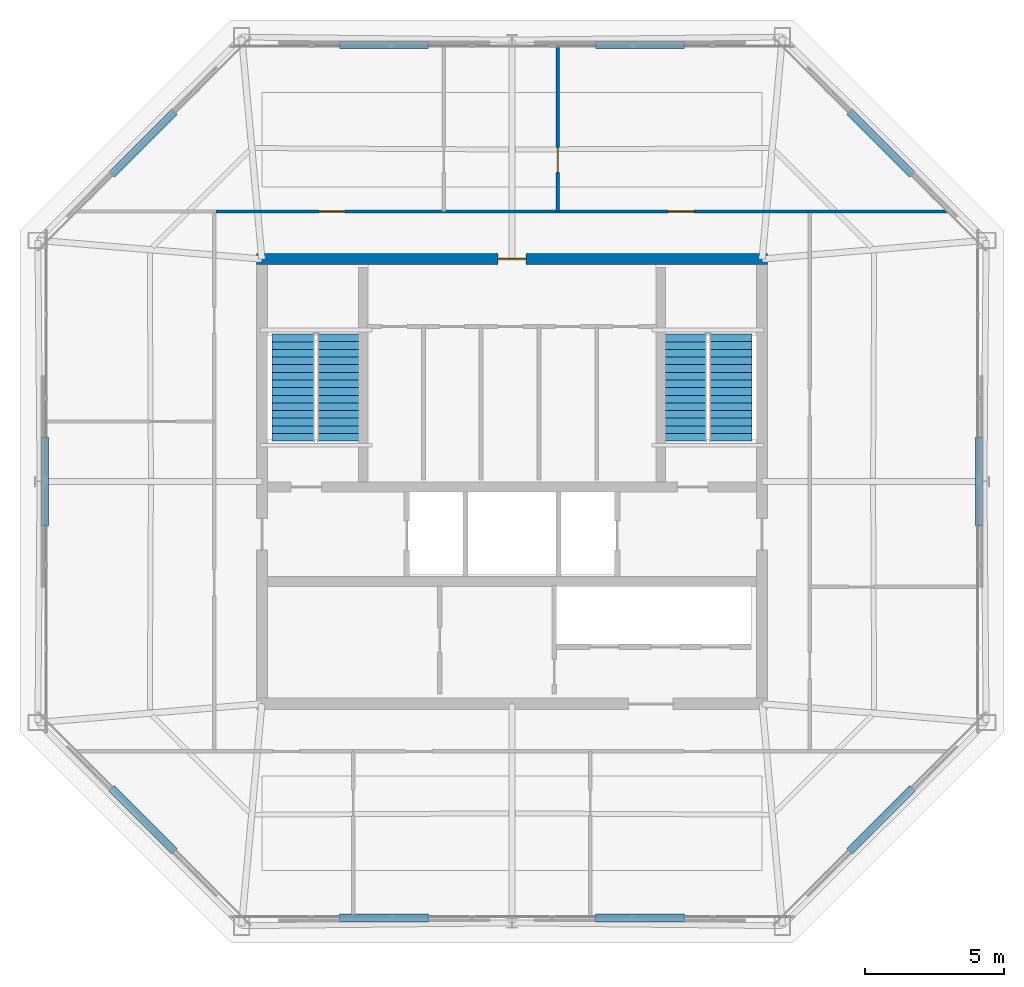
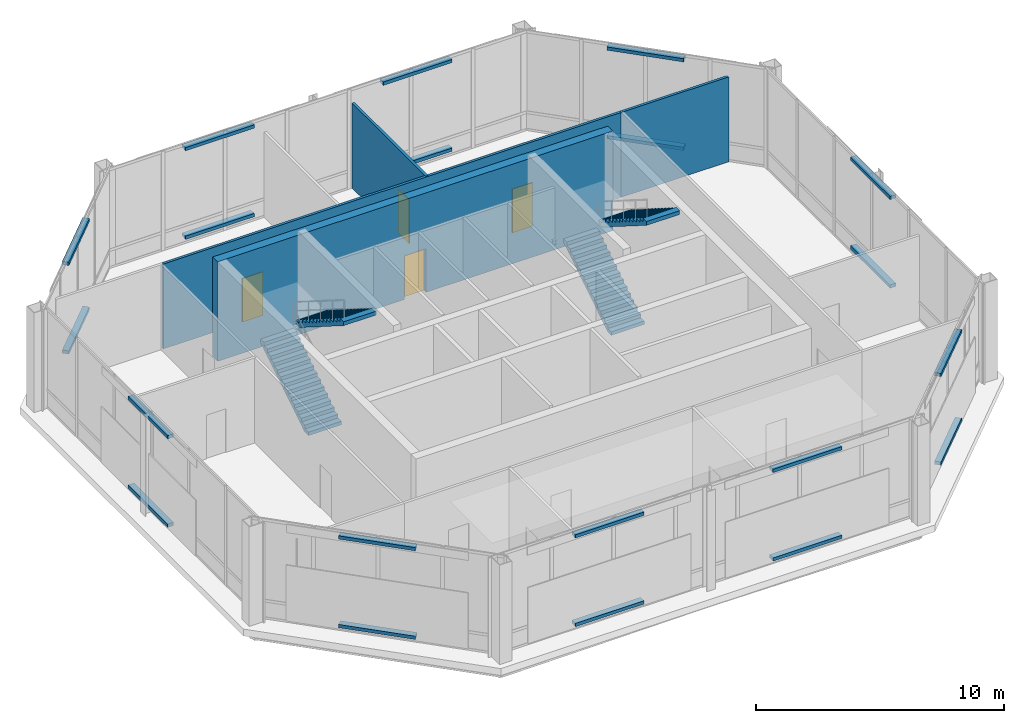
# One storey, part 20 of 21: 20 discrete accessories, 4 doors, 4 stair flights, 4 walls, 4 openings, 2 elements without a shape of their own.
"""IFC4 building model written with IfcOpenShell, lengths in metres."""

from ifc_helpers import new_model, si_unit, direction, frame, frame_2d, origin, origin_2d, place, context, subcontext, project, spatial, polyline, rectangle, outline, extrude, material, layer, layer_set, type_object, element, fill, aggregate, save


model = new_model("IFC4")

# Units and contexts
model_context = context("Model", 3, precision=1e-05, world=origin(), true_north=direction((0.0, 1.0)))
body_context = subcontext(model_context, "Body", "Model", "MODEL_VIEW")
ifc_project = project(units=[si_unit("LENGTHUNIT", "METRE"), si_unit("AREAUNIT", "SQUARE_METRE"), si_unit("VOLUMEUNIT", "CUBIC_METRE"), si_unit("PLANEANGLEUNIT", "RADIAN"), si_unit("MASSUNIT", "GRAM", prefix="KILO")], contexts=[model_context])

# Site, building, storey
site_placement = place(None, origin())
site = spatial("IfcSite", under=ifc_project, at=site_placement, CompositionType="ELEMENT")
building_placement = place(site_placement, origin())
building = spatial("IfcBuilding", under=site, at=building_placement, Name="Caelvoria Tower", CompositionType="ELEMENT")
storey_placement = place(building_placement, frame((0.0, 0.0, 279.0)))
storey = spatial("IfcBuildingStorey", under=building, at=storey_placement, Name="L74", CompositionType="ELEMENT", Elevation=279.0)

# Wall, opening, door
ifc_material_1 = material(Name="Concrete C50/60", Category="concrete")
ifc_layer_1 = layer(ifc_material_1, 0.39990234375, Name="Concrete C50/60")
ifc_layer_set_1 = layer_set([ifc_layer_1], Name="Summit Core Shear Wall 400 - Concrete C50/60")
wall_type_1 = type_object("IfcWallType", Name="Summit Core Shear Wall 400", PredefinedType="SHEAR", material=ifc_layer_set_1)
wall_1_placement = place(storey_placement, frame((36.800048828125, 40.0, 0.0), z_axis=(0.0, 0.0, 1.0), x_axis=(1.0, 0.0, 0.0)))
wall_1 = element("IfcWall", 1, at=wall_1_placement, inside=storey, type_object=wall_type_1, Name="Core Shear Wall L74 N", PredefinedType="SHEAR", context=body_context, shape_type="SweptSolid", body=[
    extrude(rectangle(XDim=18.39990234375, YDim=0.39990234375, at=frame_2d((9.199951171875, 0.0))), origin(), (0.0, 0.0, 1.0), 4.89990234375),
])
opening_1_placement = place(wall_1_placement, frame((8.699951171875, 0.0, 0.0)))
opening_1 = element("IfcOpeningElement", 2, at=opening_1_placement, cuts=wall_1, Name="Opening ID-03", PredefinedType="OPENING", context=body_context, shape_type="SweptSolid", body=[
    extrude(rectangle(XDim=1.0, YDim=2.14990234375, at=frame_2d((0.5, 1.074951171875))), frame((0.0, 0.2099609375, 0.0), z_axis=(0.0, -1.0, 0.0), x_axis=(1.0, 0.0, 0.0)), (0.0, 0.0, 1.0), 0.419921875),
])
ifc_material_2 = material(Name="Painted Hollow Steel Fire Door", Category="steel")
door_type_1 = type_object("IfcDoorType", Name="Fire Door FD60S 1000x2150", OperationType="NOTDEFINED", PredefinedType="DOOR", material=ifc_material_2)
door_1_placement = place(opening_1_placement, origin())
door_1 = element("IfcDoor", 3, at=door_1_placement, inside=storey, type_object=door_type_1, Name="Core Door DR-L74-WC-MAIN", OperationType="SINGLE_SWING_RIGHT", OverallHeight=2.14990234375, OverallWidth=1.0, PredefinedType="DOOR", context=body_context, shape_type="SweptSolid", body=[
    extrude(rectangle(XDim=1.0, YDim=2.14990234375, at=frame_2d((0.5, 1.074951171875))), frame((0.0, 0.02490234375, 0.0), z_axis=(0.0, -1.0, 0.0), x_axis=(1.0, 0.0, 0.0)), (0.0, 0.0, 1.0), 0.050048828125),
])
fill(opening_1, door_1)

ifc_material_3 = material(Name="Acoustic Gypsum Board on Light-Gauge Stud", Category="gypsum")
ifc_layer_2 = layer(ifc_material_3, 0.1201171875, Name="Acoustic Gypsum Board on Light-Gauge Stud")
ifc_layer_set_2 = layer_set([ifc_layer_2], Name="Tenant Suite Acoustic Partition Wall 120 - Acoustic Gypsum Board on Light-Gauge Stud")
wall_type_2 = type_object("IfcWallType", Name="Tenant Suite Acoustic Partition Wall 120", PredefinedType="PARTITIONING", material=ifc_layer_set_2)
wall_2_placement = place(storey_placement, frame((47.646484375, 41.7099609375, 0.0), z_axis=(0.0, 0.0, 1.0), x_axis=(0.0, 1.0, 0.0)))
wall_2 = element("IfcWall", 4, at=wall_2_placement, inside=storey, type_object=wall_type_2, Name="Interior Partition IW-L74-ND-01-0", PredefinedType="PARTITIONING", context=body_context, shape_type="SweptSolid", body=[
    extrude(rectangle(XDim=5.949951171875, YDim=0.1201171875, at=frame_2d((2.97509765625, 0.0))), origin(), (0.0, 0.0, 1.0), 4.179931640625),
])
opening_2_placement = place(wall_2_placement, frame((1.39990234375, 0.0, 0.0)))
opening_2 = element("IfcOpeningElement", 5, at=opening_2_placement, cuts=wall_2, Name="Opening ID-06", PredefinedType="OPENING", context=body_context, shape_type="SweptSolid", body=[
    extrude(rectangle(XDim=0.89990234375, YDim=2.14990234375, at=frame_2d((0.449951171875, 1.074951171875))), frame((0.0, 0.070068359375, 0.0), z_axis=(0.0, -1.0, 0.0), x_axis=(1.0, 0.0, 0.0)), (0.0, 0.0, 1.0), 0.14013671875),
])
ifc_material_4 = material(Name="Engineered Andean Oak Veneer Door", Category="wood")
door_type_2 = type_object("IfcDoorType", Name="Interior Timber Door 900x2150", OperationType="NOTDEFINED", PredefinedType="DOOR", material=ifc_material_4)
door_2_placement = place(opening_2_placement, origin())
door_2 = element("IfcDoor", 6, at=door_2_placement, inside=storey, type_object=door_type_2, Name="Interior Door DR-L74-NM-01-0", OperationType="SINGLE_SWING_LEFT", OverallHeight=2.14990234375, OverallWidth=0.89990234375, PredefinedType="DOOR", context=body_context, shape_type="SweptSolid", body=[
    extrude(rectangle(XDim=0.89990234375, YDim=2.14990234375, at=frame_2d((0.449951171875, 1.074951171875))), frame((0.0, 0.02490234375, 0.0), z_axis=(0.0, -1.0, 0.0), x_axis=(1.0, 0.0, 0.0)), (0.0, 0.0, 1.0), 0.050048828125),
])
fill(opening_2, door_2)

# Wall, openings, doors
wall_3_placement = place(storey_placement, frame((35.35009765625, 41.7099609375, 0.0), z_axis=(0.0, 0.0, 1.0), x_axis=(1.0, 0.0, 0.0)))
wall_3 = element("IfcWall", 7, at=wall_3_placement, inside=storey, type_object=wall_type_2, Name="Interior Partition IW-L74-NCW-0", PredefinedType="PARTITIONING", context=body_context, shape_type="SweptSolid", body=[
    extrude(rectangle(XDim=21.2998046875, YDim=0.1201171875, at=frame_2d((10.64990234375, 0.0))), origin(), (0.0, 0.0, 1.0), 4.179931640625),
])
opening_3_placement = place(wall_3_placement, frame((3.69287109375, 0.0, 0.0)))
opening_3 = element("IfcOpeningElement", 8, at=opening_3_placement, cuts=wall_3, Name="Opening ID-05", PredefinedType="OPENING", context=body_context, shape_type="SweptSolid", body=[
    extrude(rectangle(XDim=0.949951171875, YDim=2.14990234375, at=frame_2d((0.47509765625, 1.074951171875))), frame((0.0, 0.070068359375, 0.0), z_axis=(0.0, -1.0, 0.0), x_axis=(1.0, 0.0, 0.0)), (0.0, 0.0, 1.0), 0.14013671875),
])
opening_4_placement = place(wall_3_placement, frame((16.25341796875, 0.0, 0.0)))
opening_4 = element("IfcOpeningElement", 9, at=opening_4_placement, cuts=wall_3, Name="Opening ID-05", PredefinedType="OPENING", context=body_context, shape_type="SweptSolid", body=[
    extrude(rectangle(XDim=0.949951171875, YDim=2.14990234375, at=frame_2d((0.47509765625, 1.074951171875))), frame((0.0, 0.070068359375, 0.0), z_axis=(0.0, -1.0, 0.0), x_axis=(1.0, 0.0, 0.0)), (0.0, 0.0, 1.0), 0.14013671875),
])
door_type_3 = type_object("IfcDoorType", Name="Interior Timber Door 950x2150", OperationType="NOTDEFINED", PredefinedType="DOOR", material=ifc_material_4)
door_3_placement = place(opening_3_placement, origin())
door_3 = element("IfcDoor", 10, at=door_3_placement, inside=storey, type_object=door_type_3, Name="Interior Door DR-L74-NC-00-0", OperationType="SINGLE_SWING_LEFT", OverallHeight=2.14990234375, OverallWidth=0.949951171875, PredefinedType="DOOR", context=body_context, shape_type="SweptSolid", body=[
    extrude(rectangle(XDim=0.949951171875, YDim=2.14990234375, at=frame_2d((0.47509765625, 1.074951171875))), frame((0.0, 0.02490234375, 0.0), z_axis=(0.0, -1.0, 0.0), x_axis=(1.0, 0.0, 0.0)), (0.0, 0.0, 1.0), 0.050048828125),
])
fill(opening_3, door_3)
door_4_placement = place(opening_4_placement, origin())
door_4 = element("IfcDoor", 11, at=door_4_placement, inside=storey, type_object=door_type_3, Name="Interior Door DR-L74-NC-02-0", OperationType="SINGLE_SWING_LEFT", OverallHeight=2.14990234375, OverallWidth=0.949951171875, PredefinedType="DOOR", context=body_context, shape_type="SweptSolid", body=[
    extrude(rectangle(XDim=0.949951171875, YDim=2.14990234375, at=frame_2d((0.47509765625, 1.074951171875))), frame((0.0, 0.02490234375, 0.0), z_axis=(0.0, -1.0, 0.0), x_axis=(1.0, 0.0, 0.0)), (0.0, 0.0, 1.0), 0.050048828125),
])
fill(opening_4, door_4)

# Wall
wall_4_placement = place(storey_placement, frame((56.64990234375, 41.7099609375, 0.0), z_axis=(0.0, 0.0, 1.0), x_axis=(1.0, 0.0, 0.0)))
element("IfcWall", 12, at=wall_4_placement, inside=storey, type_object=wall_type_2, Name="Interior Partition IW-L74-BNE-0", PredefinedType="PARTITIONING", context=body_context, shape_type="SweptSolid", body=[
    extrude(rectangle(XDim=5.0107421875, YDim=0.1201171875, at=frame_2d((2.50537109375, 0.0))), origin(), (0.0, 0.0, 1.0), 4.179931640625),
])

# Stair, stair flights
ifc_material_5 = material(Name="Concrete C40/50", Category="concrete")
stair_type = type_object("IfcStairType", Name="Core Smokeproof Dogleg Stair Concrete C40/50", PredefinedType="HALF_TURN_STAIR", material=ifc_material_5)
stair_1_placement = place(storey_placement, origin())
stair_1 = element("IfcStair", 13, at=stair_1_placement, inside=storey, type_object=stair_type, Name="ST-01 Smokeproof Exit Stair L74", PredefinedType="HALF_TURN_STAIR")
ifc_material_6 = material(Name="Precast Concrete C40/50", Category="concrete")
stair_flight_type = type_object("IfcStairFlightType", Name="Precast Concrete C40/50 Stair Flight 1480", PredefinedType="STRAIGHT", material=ifc_material_6)
stair_flight_1_placement = place(storey_placement, frame((38.1298828125, 33.449951171875, 0.0), z_axis=(0.0, 0.0, 1.0), x_axis=(0.0, 1.0, 0.0)))
stair_flight_1 = element("IfcStairFlight", 14, at=stair_flight_1_placement, type_object=stair_flight_type, Name="ST-01 flight 1", NumberOfRisers=15, NumberOfTreads=14, PredefinedType="STRAIGHT", RiserHeight=0.1733, TreadLength=0.275, context=body_context, shape_type="SweptSolid", body=[
    extrude(outline(polyline([(0.0, 0.0), (0.0, 0.17333984375), (0.27490234375, 0.17333984375), (0.27490234375, 0.3466796875), (0.550048828125, 0.3466796875), (0.550048828125, 0.52001953125), (0.824951171875, 0.52001953125), (0.824951171875, 0.693115234375), (1.10009765625, 0.693115234375), (1.10009765625, 0.866455078125), (1.375, 0.866455078125), (1.375, 1.039794921875), (1.64990234375, 1.039794921875), (1.64990234375, 1.213134765625), (1.925048828125, 1.213134765625), (1.925048828125, 1.386474609375), (2.199951171875, 1.386474609375), (2.199951171875, 1.559814453125), (2.47509765625, 1.559814453125), (2.47509765625, 1.73291015625), (2.75, 1.73291015625), (2.75, 1.90625), (3.02490234375, 1.90625), (3.02490234375, 2.07958984375), (3.300048828125, 2.07958984375), (3.300048828125, 2.2529296875), (3.574951171875, 2.2529296875), (3.574951171875, 2.42626953125), (3.85009765625, 2.42626953125), (3.85009765625, 2.599609375), (3.85009765625, 2.2373046875), (0.300048828125, 0.0), (0.0, 0.0)])), frame((0.0, 0.77001953125, 0.0), z_axis=(0.0, -1.0, 0.0), x_axis=(1.0, 0.0, 0.0)), (0.0, 0.0, 1.0), 1.5400390625),
])
stair_flight_2_placement = place(storey_placement, frame((39.77001953125, 37.300048828125, 2.60009765625), z_axis=(0.0, 0.0, 1.0), x_axis=(0.0, -1.0, 0.0)))
stair_flight_2 = element("IfcStairFlight", 15, at=stair_flight_2_placement, type_object=stair_flight_type, Name="ST-01 flight 2", NumberOfRisers=15, NumberOfTreads=14, PredefinedType="STRAIGHT", RiserHeight=0.1733, TreadLength=0.275, context=body_context, shape_type="SweptSolid", body=[
    extrude(outline(polyline([(0.0, 0.0), (0.0, 0.17333984375), (0.27490234375, 0.17333984375), (0.27490234375, 0.3466796875), (0.550048828125, 0.3466796875), (0.550048828125, 0.52001953125), (0.824951171875, 0.52001953125), (0.824951171875, 0.693115234375), (1.10009765625, 0.693115234375), (1.10009765625, 0.866455078125), (1.375, 0.866455078125), (1.375, 1.039794921875), (1.64990234375, 1.039794921875), (1.64990234375, 1.213134765625), (1.925048828125, 1.213134765625), (1.925048828125, 1.386474609375), (2.199951171875, 1.386474609375), (2.199951171875, 1.559814453125), (2.47509765625, 1.559814453125), (2.47509765625, 1.73291015625), (2.75, 1.73291015625), (2.75, 1.90625), (3.02490234375, 1.90625), (3.02490234375, 2.07958984375), (3.300048828125, 2.07958984375), (3.300048828125, 2.2529296875), (3.574951171875, 2.2529296875), (3.574951171875, 2.42626953125), (3.85009765625, 2.42626953125), (3.85009765625, 2.599609375), (3.85009765625, 2.2373046875), (0.300048828125, 0.0), (0.0, 0.0)])), frame((0.0, 0.77001953125, 0.0), z_axis=(0.0, -1.0, 0.0), x_axis=(1.0, 0.0, 0.0)), (0.0, 0.0, 1.0), 1.5400390625),
])
aggregate(stair_1, [stair_flight_1, stair_flight_2])

stair_2_placement = place(storey_placement, origin())
stair_2 = element("IfcStair", 16, at=stair_2_placement, inside=storey, type_object=stair_type, Name="ST-02 Smokeproof Exit Stair L74", PredefinedType="HALF_TURN_STAIR")
stair_flight_3_placement = place(storey_placement, frame((52.22998046875, 33.449951171875, 0.0), z_axis=(0.0, 0.0, 1.0), x_axis=(0.0, 1.0, 0.0)))
stair_flight_3 = element("IfcStairFlight", 17, at=stair_flight_3_placement, type_object=stair_flight_type, Name="ST-02 flight 1", NumberOfRisers=15, NumberOfTreads=14, PredefinedType="STRAIGHT", RiserHeight=0.1733, TreadLength=0.275, context=body_context, shape_type="SweptSolid", body=[
    extrude(outline(polyline([(0.0, 0.0), (0.0, 0.17333984375), (0.27490234375, 0.17333984375), (0.27490234375, 0.3466796875), (0.550048828125, 0.3466796875), (0.550048828125, 0.52001953125), (0.824951171875, 0.52001953125), (0.824951171875, 0.693115234375), (1.10009765625, 0.693115234375), (1.10009765625, 0.866455078125), (1.375, 0.866455078125), (1.375, 1.039794921875), (1.64990234375, 1.039794921875), (1.64990234375, 1.213134765625), (1.925048828125, 1.213134765625), (1.925048828125, 1.386474609375), (2.199951171875, 1.386474609375), (2.199951171875, 1.559814453125), (2.47509765625, 1.559814453125), (2.47509765625, 1.73291015625), (2.75, 1.73291015625), (2.75, 1.90625), (3.02490234375, 1.90625), (3.02490234375, 2.07958984375), (3.300048828125, 2.07958984375), (3.300048828125, 2.2529296875), (3.574951171875, 2.2529296875), (3.574951171875, 2.42626953125), (3.85009765625, 2.42626953125), (3.85009765625, 2.599609375), (3.85009765625, 2.2373046875), (0.300048828125, 0.0), (0.0, 0.0)])), frame((0.0, 0.77001953125, 0.0), z_axis=(0.0, -1.0, 0.0), x_axis=(1.0, 0.0, 0.0)), (0.0, 0.0, 1.0), 1.5400390625),
])
stair_flight_4_placement = place(storey_placement, frame((53.8701171875, 37.300048828125, 2.60009765625), z_axis=(0.0, 0.0, 1.0), x_axis=(0.0, -1.0, 0.0)))
stair_flight_4 = element("IfcStairFlight", 18, at=stair_flight_4_placement, type_object=stair_flight_type, Name="ST-02 flight 2", NumberOfRisers=15, NumberOfTreads=14, PredefinedType="STRAIGHT", RiserHeight=0.1733, TreadLength=0.275, context=body_context, shape_type="SweptSolid", body=[
    extrude(outline(polyline([(0.0, 0.0), (0.0, 0.17333984375), (0.27490234375, 0.17333984375), (0.27490234375, 0.3466796875), (0.550048828125, 0.3466796875), (0.550048828125, 0.52001953125), (0.824951171875, 0.52001953125), (0.824951171875, 0.693115234375), (1.10009765625, 0.693115234375), (1.10009765625, 0.866455078125), (1.375, 0.866455078125), (1.375, 1.039794921875), (1.64990234375, 1.039794921875), (1.64990234375, 1.213134765625), (1.925048828125, 1.213134765625), (1.925048828125, 1.386474609375), (2.199951171875, 1.386474609375), (2.199951171875, 1.559814453125), (2.47509765625, 1.559814453125), (2.47509765625, 1.73291015625), (2.75, 1.73291015625), (2.75, 1.90625), (3.02490234375, 1.90625), (3.02490234375, 2.07958984375), (3.300048828125, 2.07958984375), (3.300048828125, 2.2529296875), (3.574951171875, 2.2529296875), (3.574951171875, 2.42626953125), (3.85009765625, 2.42626953125), (3.85009765625, 2.599609375), (3.85009765625, 2.2373046875), (0.300048828125, 0.0), (0.0, 0.0)])), frame((0.0, 0.77001953125, 0.0), z_axis=(0.0, -1.0, 0.0), x_axis=(1.0, 0.0, 0.0)), (0.0, 0.0, 1.0), 1.5400390625),
])
aggregate(stair_2, [stair_flight_3, stair_flight_4])

# Discrete accessories
ifc_material_7 = material(Name="Anodised Bronze Stainless Bracket", Category="bronze")
discrete_accessory_type = type_object("IfcDiscreteAccessoryType", Name="Solar Screen Outrigger Support Bracket", PredefinedType="BRACKET", material=ifc_material_7)
for number, where, z_axis, x_axis, name in (
    (19, (41.39990234375, 16.29052734375, 0.240234375), (0.0, 0.0, 1.0), (1.0, 0.0, 0.0), "Solar Screen Bracket L74-E0-00"),
    (20, (41.39990234375, 16.29052734375, 4.60009765625), (0.0, 0.0, 1.0), (1.0, 0.0, 0.0), "Upper Screen Band Bracket L74-E0-00"),
    (21, (50.60009765625, 16.29052734375, 0.240234375), (0.0, 0.0, 1.0), (1.0, 0.0, 0.0), "Solar Screen Bracket L74-E0-01"),
    (22, (50.60009765625, 16.29052734375, 4.60009765625), (0.0, 0.0, 1.0), (1.0, 0.0, 0.0), "Upper Screen Band Bracket L74-E0-01"),
    (23, (59.270263671875, 19.82958984375, 0.240234375), (0.0, 0.0, 1.0), (0.707106781187, 0.707106781187, 0.0), "Solar Screen Bracket L74-E1-00"),
    (24, (59.270263671875, 19.82958984375, 4.60009765625), (0.0, 0.0, 1.0), (0.707106781187, 0.707106781187, 0.0), "Upper Screen Band Bracket L74-E1-00"),
    (25, (62.8095703125, 32.0, 0.240234375), (0.0, 0.0, 1.0), (0.0, 1.0, 0.0), "Solar Screen Bracket L74-E2-00"),
    (26, (62.8095703125, 32.0, 4.60009765625), (0.0, 0.0, 1.0), (0.0, 1.0, 0.0), "Upper Screen Band Bracket L74-E2-00"),
    (27, (59.270263671875, 44.17041015625, 0.240234375), (0.0, 0.0, 1.0), (-0.707106781187, 0.707106781187, 0.0), "Solar Screen Bracket L74-E3-00"),
    (28, (59.270263671875, 44.17041015625, 4.60009765625), (0.0, 0.0, 1.0), (-0.707106781187, 0.707106781187, 0.0), "Upper Screen Band Bracket L74-E3-00"),
    (29, (50.60009765625, 47.70947265625, 0.240234375), (0.0, 0.0, 1.0), (-1.0, 0.0, 0.0), "Solar Screen Bracket L74-E4-00"),
    (30, (50.60009765625, 47.70947265625, 4.60009765625), (0.0, 0.0, 1.0), (-1.0, 0.0, 0.0), "Upper Screen Band Bracket L74-E4-00"),
    (31, (41.39990234375, 47.70947265625, 0.240234375), (0.0, 0.0, 1.0), (-1.0, 0.0, 0.0), "Solar Screen Bracket L74-E4-01"),
    (32, (41.39990234375, 47.70947265625, 4.60009765625), (0.0, 0.0, 1.0), (-1.0, 0.0, 0.0), "Upper Screen Band Bracket L74-E4-01"),
    (33, (32.729736328125, 44.17041015625, 0.240234375), (0.0, 0.0, 1.0), (-0.707106781187, -0.707106781187, 0.0), "Solar Screen Bracket L74-E5-00"),
    (34, (32.729736328125, 44.17041015625, 4.60009765625), (0.0, 0.0, 1.0), (-0.707106781187, -0.707106781187, 0.0), "Upper Screen Band Bracket L74-E5-00"),
    (35, (29.1904296875, 32.0, 0.240234375), (0.0, 0.0, 1.0), (0.0, -1.0, 0.0), "Solar Screen Bracket L74-E6-00"),
    (36, (29.1904296875, 32.0, 4.60009765625), (0.0, 0.0, 1.0), (0.0, -1.0, 0.0), "Upper Screen Band Bracket L74-E6-00"),
    (37, (32.729736328125, 19.82958984375, 0.240234375), (0.0, 0.0, 1.0), (0.707106781187, -0.707106781187, 0.0), "Solar Screen Bracket L74-E7-00"),
    (38, (32.729736328125, 19.82958984375, 4.60009765625), (0.0, 0.0, 1.0), (0.707106781187, -0.707106781187, 0.0), "Upper Screen Band Bracket L74-E7-00"),
):
    element("IfcDiscreteAccessory", number, at=place(storey_placement, frame(where, z_axis=z_axis, x_axis=x_axis)), inside=storey, type_object=discrete_accessory_type, Name=name, PredefinedType="BRACKET", context=body_context, shape_type="SweptSolid", body=[
        extrude(rectangle(XDim=3.199951171875, YDim=0.280029296875, at=origin_2d()), origin(), (0.0, 0.0, 1.0), 0.159912109375),
    ])

save(model, "model.ifc")
